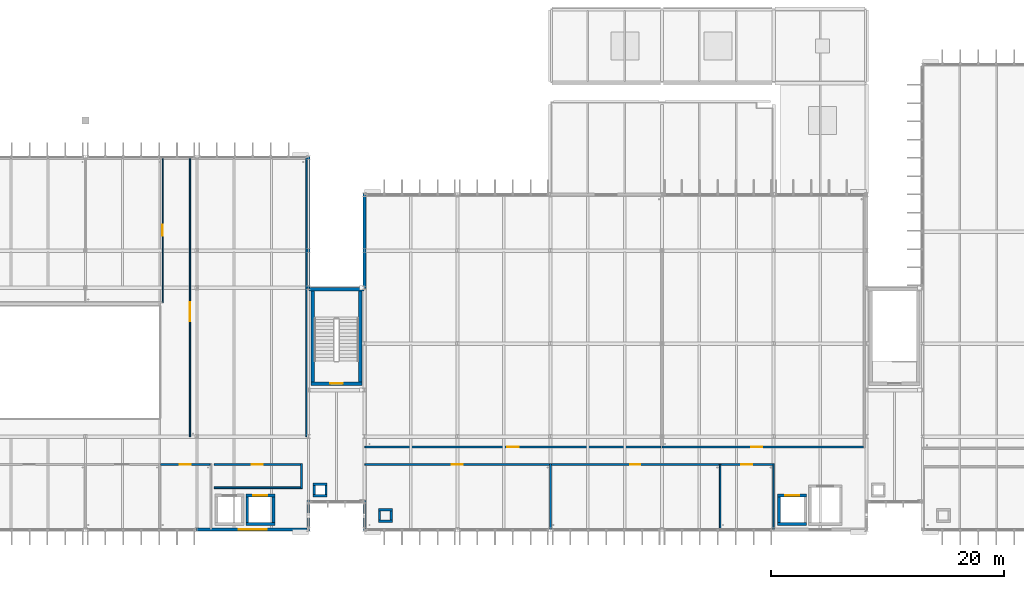
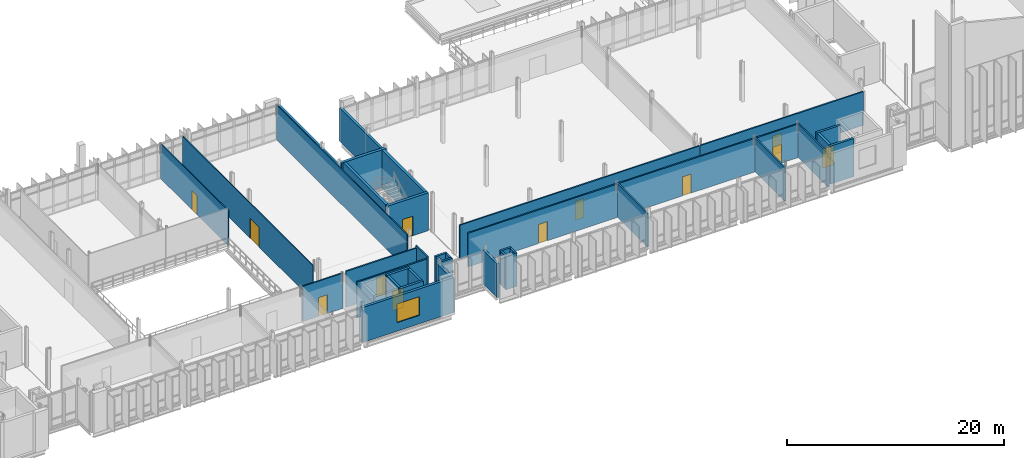
# One storey, part 64 of 110: 39 walls, 12 doors, 1 window, 13 openings.
"""IFC4 building model written with IfcOpenShell, lengths in metres."""

from ifc_helpers import new_model, si_unit, direction, frame, frame_2d, origin, place, context, subcontext, project, spatial, rectangle, extrude, material, layer, layer_set, type_object, element, fill, save


model = new_model("IFC4")

# Units and contexts
model_context = context("Model", 3, precision=1e-05, world=origin(), true_north=direction((0.0, 1.0)))
body_context = subcontext(model_context, "Body", "Model", "MODEL_VIEW")
ifc_project = project(units=[si_unit("LENGTHUNIT", "METRE"), si_unit("AREAUNIT", "SQUARE_METRE"), si_unit("VOLUMEUNIT", "CUBIC_METRE"), si_unit("PLANEANGLEUNIT", "RADIAN"), si_unit("MASSUNIT", "GRAM", prefix="KILO")], contexts=[model_context])

# Site, building, storey
site_placement = place(None, origin())
site = spatial("IfcSite", under=ifc_project, at=site_placement, CompositionType="ELEMENT")
building_placement = place(site_placement, origin())
building = spatial("IfcBuilding", under=site, at=building_placement, Name="Dunescarp Central Library", CompositionType="ELEMENT")
storey_placement = place(building_placement, frame((0.0, 0.0, 9.60009765625)))
storey = spatial("IfcBuildingStorey", under=building, at=storey_placement, Name="L02", CompositionType="ELEMENT", Elevation=9.60009765625)

# Wall
ifc_material_1 = material(Name="Gypsum plasterboard acoustic partition")
ifc_layer_1 = layer(ifc_material_1, 0.14990234375)
ifc_layer_set_1 = layer_set([ifc_layer_1], Name="Gypsum plasterboard acoustic partition")
wall_type_1 = type_object("IfcWallType", Name="ARC-PT-AC150", PredefinedType="PARTITIONING", material=ifc_layer_set_1)
wall_1_placement = place(storey_placement, frame((68.675048828125, 8.39990234375, 0.0), z_axis=(0.0, 0.0, 1.0), x_axis=(1.0, 0.0, 0.0)))
element("IfcWall", 1, at=wall_1_placement, inside=storey, type_object=wall_type_1, Name="L02 partition PT-L02-0187", PredefinedType="PARTITIONING", context=body_context, shape_type="SweptSolid", body=[
    extrude(rectangle(XDim=7.449951171875, YDim=0.14990234375, at=frame_2d((3.72509765625, 0.0))), origin(), (0.0, 0.0, 1.0), 4.034912109375),
])

# Wall, opening, door
wall_2_placement = place(storey_placement, frame((68.675048828125, 10.39990234375, 0.0), z_axis=(0.0, 0.0, 1.0), x_axis=(1.0, 0.0, 0.0)))
wall_2 = element("IfcWall", 2, at=wall_2_placement, inside=storey, type_object=wall_type_1, Name="L02 partition PT-L02-0188", PredefinedType="PARTITIONING", context=body_context, shape_type="SweptSolid", body=[
    extrude(rectangle(XDim=7.449951171875, YDim=0.14990234375, at=frame_2d((3.72509765625, 0.0))), origin(), (0.0, 0.0, 1.0), 4.034912109375),
])
opening_1_placement = place(wall_2_placement, frame((3.25, 0.0, 0.0)))
opening_1 = element("IfcOpeningElement", 3, at=opening_1_placement, cuts=wall_2, Name="Opening DR-L02-0074", PredefinedType="OPENING", context=body_context, shape_type="SweptSolid", body=[
    extrude(rectangle(XDim=0.949951171875, YDim=2.14990234375, at=frame_2d((0.47509765625, 1.074951171875))), frame((0.0, 0.0849609375, 0.0), z_axis=(0.0, -1.0, 0.0), x_axis=(1.0, 0.0, 0.0)), (0.0, 0.0, 1.0), 0.169921875),
])
ifc_material_2 = material(Name="Hardwood solid-core timber leaf", Category="wood")
door_type_1 = type_object("IfcDoorType", Name="ARC-DR-INT950", OperationType="NOTDEFINED", PredefinedType="DOOR", material=ifc_material_2)
door_1_placement = place(opening_1_placement, origin())
door_1 = element("IfcDoor", 4, at=door_1_placement, inside=storey, type_object=door_type_1, Name="L02 interior door DR-L02-0074", OperationType="SINGLE_SWING_RIGHT", OverallHeight=2.14990234375, OverallWidth=0.949951171875, PredefinedType="DOOR", context=body_context, shape_type="SweptSolid", body=[
    extrude(rectangle(XDim=0.949951171875, YDim=2.14990234375, at=frame_2d((0.47509765625, 1.074951171875))), frame((0.0, 0.02490234375, 0.0), z_axis=(0.0, -1.0, 0.0), x_axis=(1.0, 0.0, 0.0)), (0.0, 0.0, 1.0), 0.050048828125),
])
fill(opening_1, door_1)

# Wall
wall_3_placement = place(storey_placement, frame((76.199951171875, 8.324951171875, 0.0), z_axis=(0.0, 0.0, 1.0), x_axis=(0.0, 1.0, 0.0)))
element("IfcWall", 5, at=wall_3_placement, inside=storey, type_object=wall_type_1, Name="L02 partition PT-L02-0189", PredefinedType="PARTITIONING", context=body_context, shape_type="SweptSolid", body=[
    extrude(rectangle(XDim=2.150146484375, YDim=0.14990234375, at=frame_2d((1.0751953125, 0.0))), origin(), (0.0, 0.0, 1.0), 4.260009765625),
])

# Wall, opening, door
wall_4_placement = place(storey_placement, frame((81.639892578125, 10.39990234375, 0.0), z_axis=(0.0, 0.0, 1.0), x_axis=(1.0, 0.0, 0.0)))
wall_4 = element("IfcWall", 6, at=wall_4_placement, inside=storey, type_object=wall_type_1, Name="L02 partition PT-L02-0283", PredefinedType="PARTITIONING", context=body_context, shape_type="SweptSolid", body=[
    extrude(rectangle(XDim=15.885009765625, YDim=0.14990234375, at=frame_2d((7.9423828125, 0.0))), origin(), (0.0, 0.0, 1.0), 3.77490234375),
])
opening_2_placement = place(wall_4_placement, frame((7.468017578125, 0.0, 0.0)))
opening_2 = element("IfcOpeningElement", 7, at=opening_2_placement, cuts=wall_4, Name="Opening DR-L02-0118", PredefinedType="OPENING", context=body_context, shape_type="SweptSolid", body=[
    extrude(rectangle(XDim=0.949951171875, YDim=2.14990234375, at=frame_2d((0.47509765625, 1.074951171875))), frame((0.0, 0.0849609375, 0.0), z_axis=(0.0, -1.0, 0.0), x_axis=(1.0, 0.0, 0.0)), (0.0, 0.0, 1.0), 0.169921875),
])
door_2_placement = place(opening_2_placement, origin())
door_2 = element("IfcDoor", 8, at=door_2_placement, inside=storey, type_object=door_type_1, Name="L02 interior door DR-L02-0118", OperationType="SINGLE_SWING_LEFT", OverallHeight=2.14990234375, OverallWidth=0.949951171875, PredefinedType="DOOR", context=body_context, shape_type="SweptSolid", body=[
    extrude(rectangle(XDim=0.949951171875, YDim=2.14990234375, at=frame_2d((0.47509765625, 1.074951171875))), frame((0.0, 0.02490234375, 0.0), z_axis=(0.0, -1.0, 0.0), x_axis=(1.0, 0.0, 0.0)), (0.0, 0.0, 1.0), 0.050048828125),
])
fill(opening_2, door_2)

# Wall
wall_5_placement = place(storey_placement, frame((97.60009765625, 4.840087890625, 0.0), z_axis=(0.0, 0.0, 1.0), x_axis=(0.0, 1.0, 0.0)))
element("IfcWall", 9, at=wall_5_placement, inside=storey, type_object=wall_type_1, Name="L02 partition PT-L02-0284", PredefinedType="PARTITIONING", context=body_context, shape_type="SweptSolid", body=[
    extrude(rectangle(XDim=5.635009765625, YDim=0.14990234375, at=frame_2d((2.8173828125, 0.0))), origin(), (0.0, 0.0, 1.0), 3.77490234375),
])

# Wall, opening, door
wall_6_placement = place(storey_placement, frame((97.60009765625, 10.39990234375, 0.0), z_axis=(0.0, 0.0, 1.0), x_axis=(1.0, 0.0, 0.0)))
wall_6 = element("IfcWall", 10, at=wall_6_placement, inside=storey, type_object=wall_type_1, Name="L02 partition PT-L02-0285", PredefinedType="PARTITIONING", context=body_context, shape_type="SweptSolid", body=[
    extrude(rectangle(XDim=14.599853515625, YDim=0.14990234375, at=frame_2d((7.2998046875, 0.0))), origin(), (0.0, 0.0, 1.0), 3.77490234375),
])
opening_3_placement = place(wall_6_placement, frame((6.85009765625, 0.0, 0.0)))
opening_3 = element("IfcOpeningElement", 11, at=opening_3_placement, cuts=wall_6, Name="Opening DR-L02-0119", PredefinedType="OPENING", context=body_context, shape_type="SweptSolid", body=[
    extrude(rectangle(XDim=0.89990234375, YDim=2.14990234375, at=frame_2d((0.449951171875, 1.074951171875))), frame((0.0, 0.0849609375, 0.0), z_axis=(0.0, -1.0, 0.0), x_axis=(1.0, 0.0, 0.0)), (0.0, 0.0, 1.0), 0.169921875),
])
door_type_2 = type_object("IfcDoorType", Name="ARC-DR-OFF900", OperationType="NOTDEFINED", PredefinedType="DOOR", material=ifc_material_2)
door_3_placement = place(opening_3_placement, origin())
door_3 = element("IfcDoor", 12, at=door_3_placement, inside=storey, type_object=door_type_2, Name="L02 interior door DR-L02-0119", OperationType="SINGLE_SWING_RIGHT", OverallHeight=2.14990234375, OverallWidth=0.89990234375, PredefinedType="DOOR", context=body_context, shape_type="SweptSolid", body=[
    extrude(rectangle(XDim=0.89990234375, YDim=2.14990234375, at=frame_2d((0.449951171875, 1.074951171875))), frame((0.0, 0.02490234375, 0.0), z_axis=(0.0, -1.0, 0.0), x_axis=(1.0, 0.0, 0.0)), (0.0, 0.0, 1.0), 0.050048828125),
])
fill(opening_3, door_3)

wall_7_placement = place(storey_placement, frame((81.639892578125, 11.89990234375, 0.0), z_axis=(0.0, 0.0, 1.0), x_axis=(1.0, 0.0, 0.0)))
wall_7 = element("IfcWall", 13, at=wall_7_placement, inside=storey, type_object=wall_type_1, Name="L02 partition PT-L02-0286", PredefinedType="PARTITIONING", context=body_context, shape_type="SweptSolid", body=[
    extrude(rectangle(XDim=25.485107421875, YDim=0.14990234375, at=frame_2d((12.74267578125, 0.0))), origin(), (0.0, 0.0, 1.0), 3.77490234375),
])
opening_4_placement = place(wall_7_placement, frame((12.26806640625, 0.0, 0.0)))
opening_4 = element("IfcOpeningElement", 14, at=opening_4_placement, cuts=wall_7, Name="Opening DR-L02-0120", PredefinedType="OPENING", context=body_context, shape_type="SweptSolid", body=[
    extrude(rectangle(XDim=0.949951171875, YDim=2.14990234375, at=frame_2d((0.47509765625, 1.074951171875))), frame((0.0, 0.0849609375, 0.0), z_axis=(0.0, -1.0, 0.0), x_axis=(1.0, 0.0, 0.0)), (0.0, 0.0, 1.0), 0.169921875),
])
door_4_placement = place(opening_4_placement, origin())
door_4 = element("IfcDoor", 15, at=door_4_placement, inside=storey, type_object=door_type_1, Name="L02 interior door DR-L02-0120", OperationType="SINGLE_SWING_LEFT", OverallHeight=2.14990234375, OverallWidth=0.949951171875, PredefinedType="DOOR", context=body_context, shape_type="SweptSolid", body=[
    extrude(rectangle(XDim=0.949951171875, YDim=2.14990234375, at=frame_2d((0.47509765625, 1.074951171875))), frame((0.0, 0.02490234375, 0.0), z_axis=(0.0, -1.0, 0.0), x_axis=(1.0, 0.0, 0.0)), (0.0, 0.0, 1.0), 0.050048828125),
])
fill(opening_4, door_4)

wall_8_placement = place(storey_placement, frame((107.199951171875, 11.89990234375, 0.0), z_axis=(0.0, 0.0, 1.0), x_axis=(1.0, 0.0, 0.0)))
wall_8 = element("IfcWall", 16, at=wall_8_placement, inside=storey, type_object=wall_type_1, Name="L02 partition PT-L02-0288", PredefinedType="PARTITIONING", context=body_context, shape_type="SweptSolid", body=[
    extrude(rectangle(XDim=17.324951171875, YDim=0.14990234375, at=frame_2d((8.66259765625, 0.0))), origin(), (0.0, 0.0, 1.0), 3.77490234375),
])
opening_5_placement = place(wall_8_placement, frame((7.68798828125, 0.0, 0.0)))
opening_5 = element("IfcOpeningElement", 17, at=opening_5_placement, cuts=wall_8, Name="Opening DR-L02-0121", PredefinedType="OPENING", context=body_context, shape_type="SweptSolid", body=[
    extrude(rectangle(XDim=0.949951171875, YDim=2.14990234375, at=frame_2d((0.47509765625, 1.074951171875))), frame((0.0, 0.0849609375, 0.0), z_axis=(0.0, -1.0, 0.0), x_axis=(1.0, 0.0, 0.0)), (0.0, 0.0, 1.0), 0.169921875),
])
door_5_placement = place(opening_5_placement, origin())
door_5 = element("IfcDoor", 18, at=door_5_placement, inside=storey, type_object=door_type_1, Name="L02 interior door DR-L02-0121", OperationType="SINGLE_SWING_RIGHT", OverallHeight=2.14990234375, OverallWidth=0.949951171875, PredefinedType="DOOR", context=body_context, shape_type="SweptSolid", body=[
    extrude(rectangle(XDim=0.949951171875, YDim=2.14990234375, at=frame_2d((0.47509765625, 1.074951171875))), frame((0.0, 0.02490234375, 0.0), z_axis=(0.0, -1.0, 0.0), x_axis=(1.0, 0.0, 0.0)), (0.0, 0.0, 1.0), 0.050048828125),
])
fill(opening_5, door_5)

ifc_material_3 = material(Name="Solar-control laminated double glazing", Category="glass")
ifc_layer_2 = layer(ifc_material_3, 0.10009765625)
ifc_layer_set_2 = layer_set([ifc_layer_2], Name="Solar-control laminated double glazing")
wall_type_2 = type_object("IfcWallType", Name="ARC-PT-GLZ100", PredefinedType="MOVABLE", material=ifc_layer_set_2)
wall_9_placement = place(storey_placement, frame((66.60009765625, 12.800048828125, 0.0), z_axis=(0.0, 0.0, 1.0), x_axis=(0.0, 1.0, 0.0)))
wall_9 = element("IfcWall", 19, at=wall_9_placement, inside=storey, type_object=wall_type_2, Name="L02 partition PT-L02-0191", PredefinedType="MOVABLE", context=body_context, shape_type="SweptSolid", body=[
    extrude(rectangle(XDim=23.9599609375, YDim=0.10009765625, at=frame_2d((11.97998046875, 0.0))), origin(), (0.0, 0.0, 1.0), 3.9248046875),
])
opening_6_placement = place(wall_9_placement, frame((9.929931640625, 0.0, 0.0)))
opening_6 = element("IfcOpeningElement", 20, at=opening_6_placement, cuts=wall_9, Name="Opening DR-L02-0076", PredefinedType="OPENING", context=body_context, shape_type="SweptSolid", body=[
    extrude(rectangle(XDim=1.60009765625, YDim=2.25, at=frame_2d((0.800048828125, 1.125))), frame((0.0, 0.06005859375, 0.0), z_axis=(0.0, -1.0, 0.0), x_axis=(1.0, 0.0, 0.0)), (0.0, 0.0, 1.0), 0.1201171875),
])
ifc_material_4 = material(Name="Marine-grade anodised aluminium 6063-T6", Category="aluminium")
door_type_3 = type_object("IfcDoorType", Name="ARC-DR-DBL1600", OperationType="DOUBLE_DOOR_SINGLE_SWING", PredefinedType="DOOR", material=ifc_material_4)
door_6_placement = place(opening_6_placement, origin())
door_6 = element("IfcDoor", 21, at=door_6_placement, inside=storey, type_object=door_type_3, Name="L02 interior door DR-L02-0076", OperationType="DOUBLE_DOOR_SINGLE_SWING", OverallHeight=2.25, OverallWidth=1.60009765625, PredefinedType="DOOR", context=body_context, shape_type="SweptSolid", body=[
    extrude(rectangle(XDim=1.60009765625, YDim=2.25, at=frame_2d((0.800048828125, 1.125))), frame((0.0, 0.02490234375, 0.0), z_axis=(0.0, -1.0, 0.0), x_axis=(1.0, 0.0, 0.0)), (0.0, 0.0, 1.0), 0.050048828125),
])
fill(opening_6, door_6)

# Wall
wall_10_placement = place(storey_placement, frame((76.60009765625, 12.800048828125, 0.0), z_axis=(0.0, 0.0, 1.0), x_axis=(0.0, 1.0, 0.0)))
element("IfcWall", 22, at=wall_10_placement, inside=storey, type_object=wall_type_2, Name="L02 partition PT-L02-0192", PredefinedType="MOVABLE", context=body_context, shape_type="SweptSolid", body=[
    extrude(rectangle(XDim=23.9599609375, YDim=0.10009765625, at=frame_2d((11.97998046875, 0.0))), origin(), (0.0, 0.0, 1.0), 3.9248046875),
])

# Wall, opening, door
wall_11_placement = place(storey_placement, frame((64.25, 24.300048828125, 0.0), z_axis=(0.0, 0.0, 1.0), x_axis=(0.0, 1.0, 0.0)))
wall_11 = element("IfcWall", 23, at=wall_11_placement, inside=storey, type_object=wall_type_2, Name="L02 partition PT-L02-0197", PredefinedType="MOVABLE", context=body_context, shape_type="SweptSolid", body=[
    extrude(rectangle(XDim=12.4599609375, YDim=0.10009765625, at=frame_2d((6.22998046875, 0.0))), origin(), (0.0, 0.0, 1.0), 3.9248046875),
])
opening_7_placement = place(wall_11_placement, frame((5.7548828125, 0.0, 0.0)))
opening_7 = element("IfcOpeningElement", 24, at=opening_7_placement, cuts=wall_11, Name="Opening DR-L02-0078", PredefinedType="OPENING", context=body_context, shape_type="SweptSolid", body=[
    extrude(rectangle(XDim=0.949951171875, YDim=2.14990234375, at=frame_2d((0.47509765625, 1.074951171875))), frame((0.0, 0.06005859375, 0.0), z_axis=(0.0, -1.0, 0.0), x_axis=(1.0, 0.0, 0.0)), (0.0, 0.0, 1.0), 0.1201171875),
])
door_7_placement = place(opening_7_placement, origin())
door_7 = element("IfcDoor", 25, at=door_7_placement, inside=storey, type_object=door_type_1, Name="L02 interior door DR-L02-0078", OperationType="SINGLE_SWING_RIGHT", OverallHeight=2.14990234375, OverallWidth=0.949951171875, PredefinedType="DOOR", context=body_context, shape_type="SweptSolid", body=[
    extrude(rectangle(XDim=0.949951171875, YDim=2.14990234375, at=frame_2d((0.47509765625, 1.074951171875))), frame((0.0, 0.02490234375, 0.0), z_axis=(0.0, -1.0, 0.0), x_axis=(1.0, 0.0, 0.0)), (0.0, 0.0, 1.0), 0.050048828125),
])
fill(opening_7, door_7)

ifc_material_5 = material(Name="Autoclaved aerated concrete block", Category="concrete")
ifc_layer_3 = layer(ifc_material_5, 0.139892578125)
ifc_layer_set_3 = layer_set([ifc_layer_3], Name="Autoclaved aerated concrete block")
wall_type_3 = type_object("IfcWallType", Name="ARC-PT-WET140", PredefinedType="PARTITIONING", material=ifc_layer_set_3)
wall_12_placement = place(storey_placement, frame((64.070068359375, 10.39990234375, 0.0), z_axis=(0.0, 0.0, 1.0), x_axis=(1.0, 0.0, 0.0)))
wall_12 = element("IfcWall", 26, at=wall_12_placement, inside=storey, type_object=wall_type_3, Name="L02 partition PT-L02-0179", PredefinedType="PARTITIONING", context=body_context, shape_type="SweptSolid", body=[
    extrude(rectangle(XDim=4.260009765625, YDim=0.139892578125, at=frame_2d((2.1298828125, 0.0))), origin(), (0.0, 0.0, 1.0), 3.954833984375),
])
opening_8_placement = place(wall_12_placement, frame((1.655029296875, 0.0, 0.0)))
opening_8 = element("IfcOpeningElement", 27, at=opening_8_placement, cuts=wall_12, Name="Opening DR-L02-0070", PredefinedType="OPENING", context=body_context, shape_type="SweptSolid", body=[
    extrude(rectangle(XDim=0.949951171875, YDim=2.10009765625, at=frame_2d((0.47509765625, 1.050048828125))), frame((0.0, 0.080078125, 0.0), z_axis=(0.0, -1.0, 0.0), x_axis=(1.0, 0.0, 0.0)), (0.0, 0.0, 1.0), 0.159912109375),
])
door_type_4 = type_object("IfcDoorType", Name="ARC-DR-WC950", OperationType="NOTDEFINED", PredefinedType="DOOR", material=ifc_material_2)
door_8_placement = place(opening_8_placement, origin())
door_8 = element("IfcDoor", 28, at=door_8_placement, inside=storey, type_object=door_type_4, Name="L02 interior door DR-L02-0070", OperationType="SINGLE_SWING_RIGHT", OverallHeight=2.10009765625, OverallWidth=0.949951171875, PredefinedType="DOOR", context=body_context, shape_type="SweptSolid", body=[
    extrude(rectangle(XDim=0.949951171875, YDim=2.10009765625, at=frame_2d((0.47509765625, 1.050048828125))), frame((0.0, 0.02490234375, 0.0), z_axis=(0.0, -1.0, 0.0), x_axis=(1.0, 0.0, 0.0)), (0.0, 0.0, 1.0), 0.050048828125),
])
fill(opening_8, door_8)

wall_13_placement = place(storey_placement, frame((112.27001953125, 10.39990234375, 0.0), z_axis=(0.0, 0.0, 1.0), x_axis=(1.0, 0.0, 0.0)))
wall_13 = element("IfcWall", 29, at=wall_13_placement, inside=storey, type_object=wall_type_3, Name="L02 partition PT-L02-0280", PredefinedType="PARTITIONING", context=body_context, shape_type="SweptSolid", body=[
    extrude(rectangle(XDim=4.4599609375, YDim=0.139892578125, at=frame_2d((2.22998046875, 0.0))), origin(), (0.0, 0.0, 1.0), 3.77490234375),
])
opening_9_placement = place(wall_13_placement, frame((1.7548828125, 0.0, 0.0)))
opening_9 = element("IfcOpeningElement", 30, at=opening_9_placement, cuts=wall_13, Name="Opening DR-L02-0117", PredefinedType="OPENING", context=body_context, shape_type="SweptSolid", body=[
    extrude(rectangle(XDim=0.949951171875, YDim=2.10009765625, at=frame_2d((0.47509765625, 1.050048828125))), frame((0.0, 0.080078125, 0.0), z_axis=(0.0, -1.0, 0.0), x_axis=(1.0, 0.0, 0.0)), (0.0, 0.0, 1.0), 0.159912109375),
])
door_9_placement = place(opening_9_placement, origin())
door_9 = element("IfcDoor", 31, at=door_9_placement, inside=storey, type_object=door_type_4, Name="L02 interior door DR-L02-0117", OperationType="SINGLE_SWING_RIGHT", OverallHeight=2.10009765625, OverallWidth=0.949951171875, PredefinedType="DOOR", context=body_context, shape_type="SweptSolid", body=[
    extrude(rectangle(XDim=0.949951171875, YDim=2.10009765625, at=frame_2d((0.47509765625, 1.050048828125))), frame((0.0, 0.02490234375, 0.0), z_axis=(0.0, -1.0, 0.0), x_axis=(1.0, 0.0, 0.0)), (0.0, 0.0, 1.0), 0.050048828125),
])
fill(opening_9, door_9)

# Walls
wall_14_placement = place(storey_placement, frame((112.199951171875, 4.840087890625, 0.0), z_axis=(0.0, 0.0, 1.0), x_axis=(0.0, 1.0, 0.0)))
element("IfcWall", 32, at=wall_14_placement, inside=storey, type_object=wall_type_3, Name="L02 partition PT-L02-0281", PredefinedType="PARTITIONING", context=body_context, shape_type="SweptSolid", body=[
    extrude(rectangle(XDim=5.6298828125, YDim=0.139892578125, at=frame_2d((2.81494140625, 0.0))), origin(), (0.0, 0.0, 1.0), 3.794921875),
])
wall_15_placement = place(storey_placement, frame((116.800048828125, 4.840087890625, 0.0), z_axis=(0.0, 0.0, 1.0), x_axis=(0.0, 1.0, 0.0)))
element("IfcWall", 33, at=wall_15_placement, inside=storey, type_object=wall_type_3, Name="L02 partition PT-L02-0282", PredefinedType="PARTITIONING", context=body_context, shape_type="SweptSolid", body=[
    extrude(rectangle(XDim=5.6298828125, YDim=0.139892578125, at=frame_2d((2.81494140625, 0.0))), origin(), (0.0, 0.0, 1.0), 3.77490234375),
])
ifc_material_6 = material(Name="Glass-fibre reinforced concrete GRC", Category="concrete")
ifc_layer_4 = layer(ifc_material_6, 0.260009765625)
ifc_layer_set_4 = layer_set([ifc_layer_4], Name="Glass-fibre reinforced concrete GRC")
wall_type_4 = type_object("IfcWallType", Name="ARC-WL-GRC260", PredefinedType="SOLIDWALL", material=ifc_layer_set_4)
wall_16_placement = place(storey_placement, frame((76.800048828125, 7.284912109375, 0.0), z_axis=(0.0, 0.0, 1.0), x_axis=(0.0, -1.0, 0.0)))
element("IfcWall", 34, at=wall_16_placement, inside=storey, type_object=wall_type_4, Name="L02 external wall EW-V2-046", PredefinedType="SOLIDWALL", context=body_context, shape_type="SweptSolid", body=[
    extrude(rectangle(XDim=2.56982421875, YDim=0.260009765625, at=frame_2d((1.284912109375, 0.0))), origin(), (0.0, 0.0, 1.0), 3.844970703125),
])
wall_17_placement = place(storey_placement, frame((76.800048828125, 36.885009765625, 0.0), z_axis=(0.0, 0.0, 1.0), x_axis=(0.0, -1.0, 0.0)))
element("IfcWall", 35, at=wall_17_placement, inside=storey, type_object=wall_type_4, Name="L02 external wall EW-V2-047", PredefinedType="SOLIDWALL", context=body_context, shape_type="SweptSolid", body=[
    extrude(rectangle(XDim=11.3701171875, YDim=0.260009765625, at=frame_2d((5.68505859375, 0.0))), origin(), (0.0, 0.0, 1.0), 3.844970703125),
])
wall_18_placement = place(storey_placement, frame((81.60009765625, 4.715087890625, 0.0), z_axis=(0.0, 0.0, 1.0), x_axis=(0.0, 1.0, 0.0)))
element("IfcWall", 36, at=wall_18_placement, inside=storey, type_object=wall_type_4, Name="L02 external wall EW-V3-078", PredefinedType="SOLIDWALL", context=body_context, shape_type="SweptSolid", body=[
    extrude(rectangle(XDim=2.56982421875, YDim=0.260009765625, at=frame_2d((1.284912109375, 0.0))), origin(), (0.0, 0.0, 1.0), 3.77490234375),
])
wall_19_placement = place(storey_placement, frame((81.60009765625, 25.514892578125, 0.0), z_axis=(0.0, 0.0, 1.0), x_axis=(0.0, 1.0, 0.0)))
element("IfcWall", 37, at=wall_19_placement, inside=storey, type_object=wall_type_4, Name="L02 external wall EW-V3-079", PredefinedType="SOLIDWALL", context=body_context, shape_type="SweptSolid", body=[
    extrude(rectangle(XDim=8.170166015625, YDim=0.260009765625, at=frame_2d((4.0849609375, 0.0))), origin(), (0.0, 0.0, 1.0), 3.77490234375),
])

# Wall, opening, window
ifc_layer_5 = layer(ifc_material_6, 0.280029296875)
ifc_layer_set_5 = layer_set([ifc_layer_5], Name="Glass-fibre reinforced concrete GRC")
wall_type_5 = type_object("IfcWallType", Name="ARC-WL-GRC280", PredefinedType="SOLIDWALL", material=ifc_layer_set_5)
wall_20_placement = place(storey_placement, frame((76.885009765625, 4.800048828125, 0.0), z_axis=(0.0, 0.0, 1.0), x_axis=(-1.0, 0.0, 0.0)))
wall_20 = element("IfcWall", 38, at=wall_20_placement, inside=storey, type_object=wall_type_5, Name="L02 external wall EW-V2-043", PredefinedType="SOLIDWALL", context=body_context, shape_type="SweptSolid", body=[
    extrude(rectangle(XDim=9.77001953125, YDim=0.280029296875, at=frame_2d((4.885009765625, 0.0))), origin(), (0.0, 0.0, 1.0), 3.9248046875),
])
opening_10_placement = place(wall_20_placement, frame((3.68505859375, 0.0, 0.949951171875)))
opening_10 = element("IfcOpeningElement", 39, at=opening_10_placement, cuts=wall_20, Name="Opening WN-010", PredefinedType="OPENING", context=body_context, shape_type="SweptSolid", body=[
    extrude(rectangle(XDim=2.39990234375, YDim=2.10009765625, at=frame_2d((1.199951171875, 1.050048828125))), frame((0.0, 0.14990234375, 0.0), z_axis=(0.0, -1.0, 0.0), x_axis=(1.0, 0.0, 0.0)), (0.0, 0.0, 1.0), 0.300048828125),
])
window_type = type_object("IfcWindowType", Name="ARC-WN-2400X2100", PartitioningType="SINGLE_PANEL", PredefinedType="WINDOW", material=ifc_material_3)
window_placement = place(opening_10_placement, origin())
window = element("IfcWindow", 40, at=window_placement, inside=storey, type_object=window_type, Name="L02 window WN-010", OverallHeight=2.10009765625, OverallWidth=2.39990234375, PartitioningType="SINGLE_PANEL", PredefinedType="WINDOW", context=body_context, shape_type="SweptSolid", body=[
    extrude(rectangle(XDim=2.39990234375, YDim=2.10009765625, at=frame_2d((1.199951171875, 1.050048828125))), frame((0.0, 0.030029296875, 0.0), z_axis=(0.0, -1.0, 0.0), x_axis=(1.0, 0.0, 0.0)), (0.0, 0.0, 1.0), 0.06005859375),
])
fill(opening_10, window)

# Walls
ifc_material_7 = material(Name="Concrete C35/45", Category="concrete")
ifc_layer_6 = layer(ifc_material_7, 0.199951171875)
ifc_layer_set_6 = layer_set([ifc_layer_6], Name="Concrete C35/45")
wall_type_6 = type_object("IfcWallType", Name="ARC-WL-RISER200", PredefinedType="PARTITIONING", material=ifc_layer_set_6)
for number, where, z_axis, x_axis, name in (
    (41, (84.0, 5.5, 0.0), (0.0, 0.0, 1.0), (-1.0, 0.0, 0.0), "L02 V3 duct shaft wall S"),
    (42, (82.800048828125, 6.5, 0.0), (0.0, 0.0, 1.0), (1.0, 0.0, 0.0), "L02 V3 duct shaft wall N"),
):
    element("IfcWall", number, at=place(storey_placement, frame(where, z_axis=z_axis, x_axis=x_axis)), inside=storey, type_object=wall_type_6, Name=name, PredefinedType="PARTITIONING", context=body_context, shape_type="SweptSolid", body=[
        extrude(rectangle(XDim=1.199951171875, YDim=0.199951171875, at=frame_2d((0.60009765625, 0.0))), origin(), (0.0, 0.0, 1.0), 3.760009765625),
    ])
for number, where, z_axis, x_axis, name in (
    (43, (82.89990234375, 5.6201171875, 0.0), (0.0, 0.0, 1.0), (0.0, 1.0, 0.0), "L02 V3 duct shaft wall W"),
    (44, (83.89990234375, 6.3798828125, 0.0), (0.0, 0.0, 1.0), (0.0, -1.0, 0.0), "L02 V3 duct shaft wall E"),
):
    element("IfcWall", number, at=place(storey_placement, frame(where, z_axis=z_axis, x_axis=x_axis)), inside=storey, type_object=wall_type_6, Name=name, PredefinedType="PARTITIONING", context=body_context, shape_type="SweptSolid", body=[
        extrude(rectangle(XDim=0.759765625, YDim=0.199951171875, at=frame_2d((0.3798828125, 0.0))), origin(), (0.0, 0.0, 1.0), 3.760009765625),
    ])
for number, where, z_axis, x_axis, name in (
    (45, (78.39990234375, 7.699951171875, 0.0), (0.0, 0.0, 1.0), (-1.0, 0.0, 0.0), "L02 GL2 duct shaft wall S"),
    (46, (77.199951171875, 8.699951171875, 0.0), (0.0, 0.0, 1.0), (1.0, 0.0, 0.0), "L02 GL2 duct shaft wall N"),
):
    element("IfcWall", number, at=place(storey_placement, frame(where, z_axis=z_axis, x_axis=x_axis)), inside=storey, type_object=wall_type_6, Name=name, PredefinedType="PARTITIONING", context=body_context, shape_type="SweptSolid", body=[
        extrude(rectangle(XDim=1.199951171875, YDim=0.199951171875, at=frame_2d((0.60009765625, 0.0))), origin(), (0.0, 0.0, 1.0), 3.760009765625),
    ])
for number, where, z_axis, x_axis, name in (
    (47, (77.300048828125, 7.820068359375, 0.0), (0.0, 0.0, 1.0), (0.0, 1.0, 0.0), "L02 GL2 duct shaft wall W"),
    (48, (78.300048828125, 8.580078125, 0.0), (0.0, 0.0, 1.0), (0.0, -1.0, 0.0), "L02 GL2 duct shaft wall E"),
):
    element("IfcWall", number, at=place(storey_placement, frame(where, z_axis=z_axis, x_axis=x_axis)), inside=storey, type_object=wall_type_6, Name=name, PredefinedType="PARTITIONING", context=body_context, shape_type="SweptSolid", body=[
        extrude(rectangle(XDim=0.760009765625, YDim=0.199951171875, at=frame_2d((0.3798828125, 0.0))), origin(), (0.0, 0.0, 1.0), 3.760009765625),
    ])
ifc_material_8 = material(Name="Concrete C40/50", Category="concrete")
ifc_layer_7 = layer(ifc_material_8, 0.25)
ifc_layer_set_7 = layer_set([ifc_layer_7], Name="Concrete C40/50")
wall_type_7 = type_object("IfcWallType", Name="STR-WL-CORE250", PredefinedType="SHEAR", material=ifc_layer_set_7)
wall_21_placement = place(storey_placement, frame((73.89990234375, 5.27490234375, 0.0), z_axis=(0.0, 0.0, 1.0), x_axis=(-1.0, 0.0, 0.0)))
element("IfcWall", 49, at=wall_21_placement, inside=storey, type_object=wall_type_7, Name="L02 PL-2 lift shaft wall S", PredefinedType="SHEAR", context=body_context, shape_type="SweptSolid", body=[
    extrude(rectangle(XDim=2.5, YDim=0.25, at=frame_2d((1.25, 0.0))), origin(), (0.0, 0.0, 1.0), 4.260009765625),
])

# Wall, opening, door
wall_22_placement = place(storey_placement, frame((71.39990234375, 7.72509765625, 0.0), z_axis=(0.0, 0.0, 1.0), x_axis=(1.0, 0.0, 0.0)))
wall_22 = element("IfcWall", 50, at=wall_22_placement, inside=storey, type_object=wall_type_7, Name="L02 PL-2 lift shaft wall N", PredefinedType="SHEAR", context=body_context, shape_type="SweptSolid", body=[
    extrude(rectangle(XDim=2.5, YDim=0.25, at=frame_2d((1.25, 0.0))), origin(), (0.0, 0.0, 1.0), 4.260009765625),
])
opening_11_placement = place(wall_22_placement, frame((0.64990234375, 0.0, 0.0)))
opening_11 = element("IfcOpeningElement", 51, at=opening_11_placement, cuts=wall_22, Name="Opening LD-PL-2-L02", PredefinedType="OPENING", context=body_context, shape_type="SweptSolid", body=[
    extrude(rectangle(XDim=1.199951171875, YDim=2.199951171875, at=frame_2d((0.60009765625, 1.10009765625))), frame((0.0, 0.135009765625, 0.0), z_axis=(0.0, -1.0, 0.0), x_axis=(1.0, 0.0, 0.0)), (0.0, 0.0, 1.0), 0.27001953125),
])
ifc_material_9 = material(Name="Stainless steel Grade 316L", Category="steel")
door_type_5 = type_object("IfcDoorType", Name="ARC-DR-LD1200", OperationType="DOUBLE_DOOR_SLIDING", PredefinedType="DOOR", material=ifc_material_9)
door_10_placement = place(opening_11_placement, origin())
door_10 = element("IfcDoor", 52, at=door_10_placement, inside=storey, type_object=door_type_5, Name="L02 PL-2 lift landing door", OperationType="DOUBLE_DOOR_SLIDING", OverallHeight=2.199951171875, OverallWidth=1.199951171875, PredefinedType="DOOR", context=body_context, shape_type="SweptSolid", body=[
    extrude(rectangle(XDim=1.199951171875, YDim=2.199951171875, at=frame_2d((0.60009765625, 1.10009765625))), frame((0.0, 0.02490234375, 0.0), z_axis=(0.0, -1.0, 0.0), x_axis=(1.0, 0.0, 0.0)), (0.0, 0.0, 1.0), 0.050048828125),
])
fill(opening_11, door_10)

# Walls
for number, where, z_axis, x_axis, name in (
    (53, (71.52490234375, 5.39990234375, 0.0), (0.0, 0.0, 1.0), (0.0, 1.0, 0.0), "L02 PL-2 lift shaft wall W"),
    (54, (73.77490234375, 7.60009765625, 0.0), (0.0, 0.0, 1.0), (0.0, -1.0, 0.0), "L02 PL-2 lift shaft wall E"),
):
    element("IfcWall", number, at=place(storey_placement, frame(where, z_axis=z_axis, x_axis=x_axis)), inside=storey, type_object=wall_type_7, Name=name, PredefinedType="SHEAR", context=body_context, shape_type="SweptSolid", body=[
        extrude(rectangle(XDim=2.2001953125, YDim=0.25, at=frame_2d((1.10009765625, 0.0))), origin(), (0.0, 0.0, 1.0), 4.260009765625),
    ])
wall_23_placement = place(storey_placement, frame((119.64990234375, 5.27490234375, 0.0), z_axis=(0.0, 0.0, 1.0), x_axis=(-1.0, 0.0, 0.0)))
element("IfcWall", 55, at=wall_23_placement, inside=storey, type_object=wall_type_7, Name="L02 PL-3 lift shaft wall S", PredefinedType="SHEAR", context=body_context, shape_type="SweptSolid", body=[
    extrude(rectangle(XDim=2.5, YDim=0.25, at=frame_2d((1.25, 0.0))), origin(), (0.0, 0.0, 1.0), 4.260009765625),
])

# Wall, opening, door
wall_24_placement = place(storey_placement, frame((117.14990234375, 7.72509765625, 0.0), z_axis=(0.0, 0.0, 1.0), x_axis=(1.0, 0.0, 0.0)))
wall_24 = element("IfcWall", 56, at=wall_24_placement, inside=storey, type_object=wall_type_7, Name="L02 PL-3 lift shaft wall N", PredefinedType="SHEAR", context=body_context, shape_type="SweptSolid", body=[
    extrude(rectangle(XDim=2.5, YDim=0.25, at=frame_2d((1.25, 0.0))), origin(), (0.0, 0.0, 1.0), 4.260009765625),
])
opening_12_placement = place(wall_24_placement, frame((0.64990234375, 0.0, 0.0)))
opening_12 = element("IfcOpeningElement", 57, at=opening_12_placement, cuts=wall_24, Name="Opening LD-PL-3-L02", PredefinedType="OPENING", context=body_context, shape_type="SweptSolid", body=[
    extrude(rectangle(XDim=1.199951171875, YDim=2.199951171875, at=frame_2d((0.60009765625, 1.10009765625))), frame((0.0, 0.135009765625, 0.0), z_axis=(0.0, -1.0, 0.0), x_axis=(1.0, 0.0, 0.0)), (0.0, 0.0, 1.0), 0.27001953125),
])
door_11_placement = place(opening_12_placement, origin())
door_11 = element("IfcDoor", 58, at=door_11_placement, inside=storey, type_object=door_type_5, Name="L02 PL-3 lift landing door", OperationType="DOUBLE_DOOR_SLIDING", OverallHeight=2.199951171875, OverallWidth=1.199951171875, PredefinedType="DOOR", context=body_context, shape_type="SweptSolid", body=[
    extrude(rectangle(XDim=1.199951171875, YDim=2.199951171875, at=frame_2d((0.60009765625, 1.10009765625))), frame((0.0, 0.02490234375, 0.0), z_axis=(0.0, -1.0, 0.0), x_axis=(1.0, 0.0, 0.0)), (0.0, 0.0, 1.0), 0.050048828125),
])
fill(opening_12, door_11)

# Wall
wall_25_placement = place(storey_placement, frame((117.27490234375, 5.39990234375, 0.0), z_axis=(0.0, 0.0, 1.0), x_axis=(0.0, 1.0, 0.0)))
element("IfcWall", 59, at=wall_25_placement, inside=storey, type_object=wall_type_7, Name="L02 PL-3 lift shaft wall W", PredefinedType="SHEAR", context=body_context, shape_type="SweptSolid", body=[
    extrude(rectangle(XDim=2.2001953125, YDim=0.25, at=frame_2d((1.10009765625, 0.0))), origin(), (0.0, 0.0, 1.0), 4.260009765625),
])

# Wall, opening, door
ifc_layer_8 = layer(ifc_material_8, 0.300048828125)
ifc_layer_set_8 = layer_set([ifc_layer_8], Name="Concrete C40/50")
wall_type_8 = type_object("IfcWallType", Name="STR-WL-CORE300", PredefinedType="SHEAR", material=ifc_layer_set_8)
wall_26_placement = place(storey_placement, frame((81.39990234375, 17.35009765625, 0.0), z_axis=(0.0, 0.0, 1.0), x_axis=(-1.0, 0.0, 0.0)))
wall_26 = element("IfcWall", 60, at=wall_26_placement, inside=storey, type_object=wall_type_8, Name="L02 ST-3 south core wall", PredefinedType="SHEAR", context=body_context, shape_type="SweptSolid", body=[
    extrude(rectangle(XDim=4.39990234375, YDim=0.300048828125, at=frame_2d((2.199951171875, 0.0))), origin(), (0.0, 0.0, 1.0), 4.260009765625),
])
opening_13_placement = place(wall_26_placement, frame((1.64990234375, 0.0, 0.0)))
opening_13 = element("IfcOpeningElement", 61, at=opening_13_placement, cuts=wall_26, Name="Opening D-ST-3-L02", PredefinedType="OPENING", context=body_context, shape_type="SweptSolid", body=[
    extrude(rectangle(XDim=1.10009765625, YDim=2.199951171875, at=frame_2d((0.550048828125, 1.10009765625))), frame((0.0, 0.16015625, 0.0), z_axis=(0.0, -1.0, 0.0), x_axis=(1.0, 0.0, 0.0)), (0.0, 0.0, 1.0), 0.320068359375),
])
ifc_material_10 = material(Name="Galvanised steel FD120S", Category="steel")
door_type_6 = type_object("IfcDoorType", Name="ARC-DR-STAIR", OperationType="NOTDEFINED", PredefinedType="DOOR", material=ifc_material_10)
door_12_placement = place(opening_13_placement, origin())
door_12 = element("IfcDoor", 62, at=door_12_placement, inside=storey, type_object=door_type_6, Name="L02 ST-3 fire stair door", OperationType="SINGLE_SWING_LEFT", OverallHeight=2.199951171875, OverallWidth=1.10009765625, PredefinedType="DOOR", context=body_context, shape_type="SweptSolid", body=[
    extrude(rectangle(XDim=1.10009765625, YDim=2.199951171875, at=frame_2d((0.550048828125, 1.10009765625))), frame((0.0, 0.02490234375, 0.0), z_axis=(0.0, -1.0, 0.0), x_axis=(1.0, 0.0, 0.0)), (0.0, 0.0, 1.0), 0.050048828125),
])
fill(opening_13, door_12)

# Walls
wall_27_placement = place(storey_placement, frame((76.820068359375, 25.449951171875, 0.0), z_axis=(0.0, 0.0, 1.0), x_axis=(1.0, 0.0, 0.0)))
element("IfcWall", 63, at=wall_27_placement, inside=storey, type_object=wall_type_8, Name="L02 ST-3 north core wall", PredefinedType="SHEAR", context=body_context, shape_type="SweptSolid", body=[
    extrude(rectangle(XDim=4.760009765625, YDim=0.300048828125, at=frame_2d((2.3798828125, 0.0))), origin(), (0.0, 0.0, 1.0), 4.260009765625),
])
for number, where, z_axis, x_axis, name in (
    (64, (77.14990234375, 17.5, 0.0), (0.0, 0.0, 1.0), (0.0, 1.0, 0.0), "L02 ST-3 west core wall"),
    (65, (81.25, 25.300048828125, 0.0), (0.0, 0.0, 1.0), (0.0, -1.0, 0.0), "L02 ST-3 east core wall"),
):
    element("IfcWall", number, at=place(storey_placement, frame(where, z_axis=z_axis, x_axis=x_axis)), inside=storey, type_object=wall_type_8, Name=name, PredefinedType="SHEAR", context=body_context, shape_type="SweptSolid", body=[
        extrude(rectangle(XDim=7.800048828125, YDim=0.300048828125, at=frame_2d((3.89990234375, 0.0))), origin(), (0.0, 0.0, 1.0), 4.260009765625),
    ])

save(model, "model.ifc")
